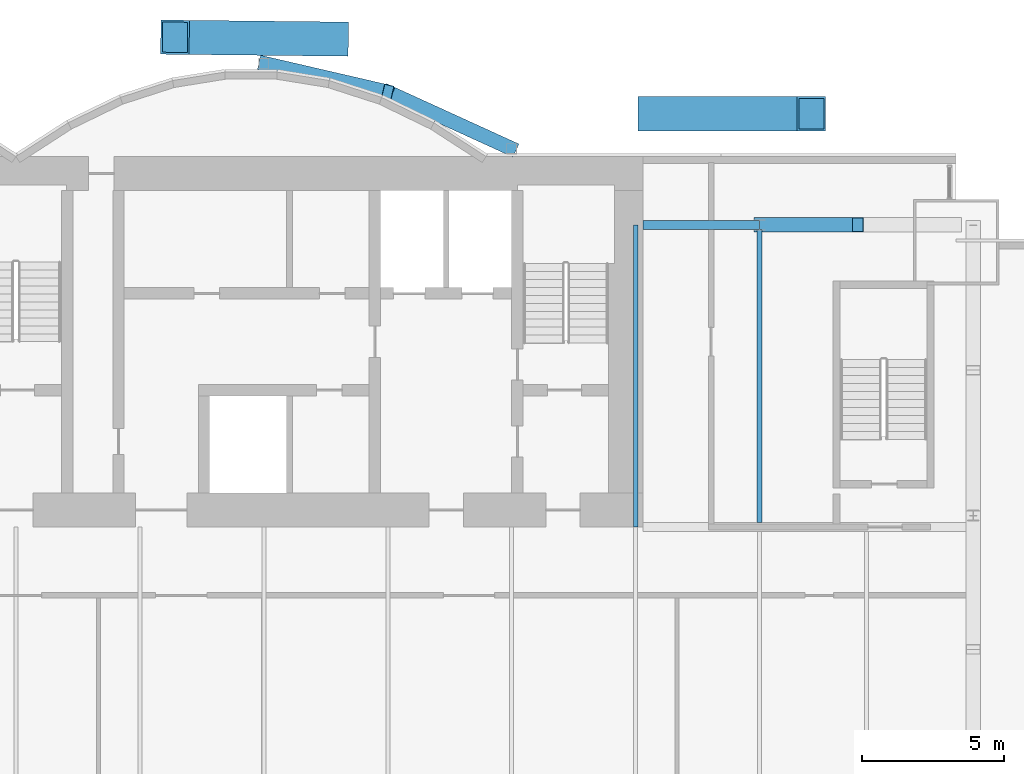
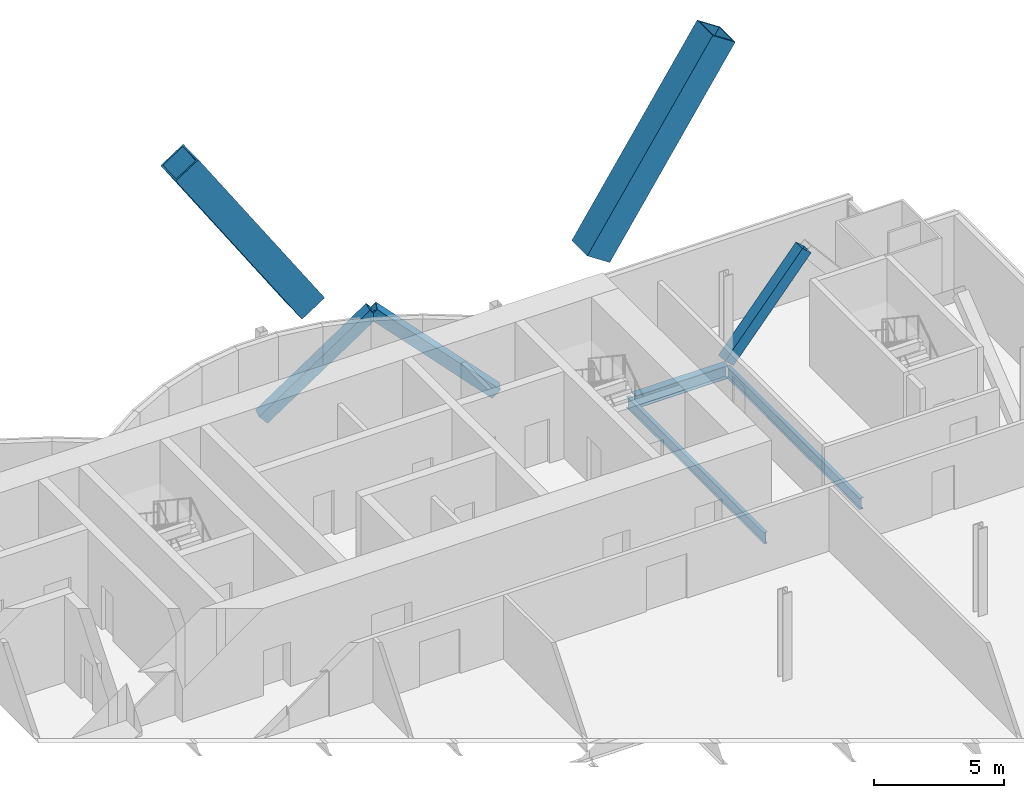
# One storey, part 11 of 21: 5 members, 3 beams.
"""IFC4 building model written with IfcOpenShell, lengths in metres."""

from ifc_helpers import new_model, si_unit, direction, frame, origin, origin_2d, place, context, subcontext, project, spatial, hollow_rectangle, i_section, extrude, material, material_profile, profile_set, type_object, element, save


model = new_model("IFC4")

# Units and contexts
model_context = context("Model", 3, precision=1e-05, world=origin(), true_north=direction((0.0, 1.0)))
body_context = subcontext(model_context, "Body", "Model", "MODEL_VIEW")
ifc_project = project(units=[si_unit("LENGTHUNIT", "METRE"), si_unit("AREAUNIT", "SQUARE_METRE"), si_unit("VOLUMEUNIT", "CUBIC_METRE"), si_unit("PLANEANGLEUNIT", "RADIAN"), si_unit("MASSUNIT", "GRAM", prefix="KILO")], contexts=[model_context])

# Site, building, storey
site_placement = place(None, origin())
site = spatial("IfcSite", under=ifc_project, at=site_placement, CompositionType="ELEMENT")
building_placement = place(site_placement, origin())
building = spatial("IfcBuilding", under=site, at=building_placement, Name="Bicima Exchange Tower", CompositionType="ELEMENT")
storey_placement = place(building_placement, frame((0.0, 0.0, 118.60009765625)))
storey = spatial("IfcBuildingStorey", under=building, at=storey_placement, Name="L25", CompositionType="ELEMENT", Elevation=118.60009765625)

# Members
ifc_material_1 = material(Name="Steel ASTM A572 Gr 50", Category="steel")
ifc_material_profile_1 = material_profile(ifc_material_1, hollow_rectangle(XDim=1.199951171875, YDim=1.199951171875, WallThickness=0.070068359375, at=origin_2d()))
ifc_profile_set_1 = profile_set([ifc_material_profile_1], Name="Steel ASTM A572 Gr 50")
member_type_1 = type_object("IfcMemberType", Name="Exo mega brace BOX 1200x1200x70", PredefinedType="BRACE", material=ifc_profile_set_1)
member_1_placement = place(storey_placement, frame((22.333251953125, 1.5, 4.066650390625), z_axis=(0.55281335708, 0.0, 0.833305101529), x_axis=(0.0, 1.0, 0.0)))
element("IfcMember", 1, at=member_1_placement, inside=storey, type_object=member_type_1, Name="Exo mega brace rear", PredefinedType="BRACE", context=body_context, shape_type="SweptSolid", body=[
    extrude(hollow_rectangle(XDim=1.199951171875, YDim=1.199951171875, WallThickness=0.070068359375, at=origin_2d()), origin(), (0.0, 0.0, 1.0), 10.10009765625),
])
member_2_placement = place(storey_placement, frame((11.166748046875, 4.125, 4.066650390625), z_axis=(-0.552803101452, 0.006091227878, 0.833289642302), x_axis=(-0.011018133066, -0.99993929853, 0.0)))
element("IfcMember", 2, at=member_2_placement, inside=storey, type_object=member_type_1, Name="Exo mega brace rear", PredefinedType="BRACE", context=body_context, shape_type="SweptSolid", body=[
    extrude(hollow_rectangle(XDim=1.199951171875, YDim=1.199951171875, WallThickness=0.070068359375, at=origin_2d()), origin(), (0.0, 0.0, 1.0), 10.100341796875),
])

# Beams
ifc_material_2 = material(Name="Steel ASTM A992 Gr 50", Category="steel")
ifc_material_profile_2 = material_profile(ifc_material_2, i_section(OverallWidth=0.165771484375, OverallDepth=0.5283203125, WebThickness=0.009765625, FlangeThickness=0.013671875, at=origin_2d()))
ifc_profile_set_2 = profile_set([ifc_material_profile_2], Name="Steel ASTM A992 Gr 50")
beam_type_1 = type_object("IfcBeamType", Name="Floor beam W21x50", PredefinedType="JOIST", material=ifc_profile_set_2)
beam_1_placement = place(storey_placement, frame((21.75, -2.39990234375, -0.414306640625), z_axis=(0.0, -1.0, 0.0), x_axis=(1.0, 0.0, 0.0)))
element("IfcBeam", 3, at=beam_1_placement, inside=storey, type_object=beam_type_1, Name="Floor beam", PredefinedType="JOIST", context=body_context, shape_type="SweptSolid", body=[
    extrude(i_section(OverallWidth=0.165771484375, OverallDepth=0.5283203125, WebThickness=0.009765625, FlangeThickness=0.013671875, at=origin_2d()), origin(), (0.0, 0.0, 1.0), 10.60009765625),
])
beam_2_placement = place(storey_placement, frame((26.10009765625, -2.5625, -0.414306640625), z_axis=(0.0, -1.0, 0.0), x_axis=(1.0, 0.0, 0.0)))
element("IfcBeam", 4, at=beam_2_placement, inside=storey, type_object=beam_type_1, Name="Floor beam", PredefinedType="JOIST", context=body_context, shape_type="SweptSolid", body=[
    extrude(i_section(OverallWidth=0.165771484375, OverallDepth=0.5283203125, WebThickness=0.009765625, FlangeThickness=0.013671875, at=origin_2d()), origin(), (0.0, 0.0, 1.0), 10.28515625),
])

# Members
ifc_material_profile_3 = material_profile(ifc_material_1, hollow_rectangle(XDim=0.508056640625, YDim=0.508056640625, WallThickness=0.0146484375, at=origin_2d()))
ifc_profile_set_3 = profile_set([ifc_material_profile_3], Name="Steel ASTM A572 Gr 50")
member_type_2 = type_object("IfcMemberType", Name="Mega brace HSS20x20x5/8", PredefinedType="BRACE", material=ifc_profile_set_3)
member_3_placement = place(storey_placement, frame((8.699951171875, 3.26904296875, 0.0), z_axis=(0.717625168184, -0.166055032463, 0.676342993002), x_axis=(0.225438503722, 0.974257399787, 0.0)))
element("IfcMember", 5, at=member_3_placement, inside=storey, type_object=member_type_2, Name="Mega brace rexo", PredefinedType="BRACE", context=body_context, shape_type="SweptSolid", body=[
    extrude(hollow_rectangle(XDim=0.508056640625, YDim=0.508056640625, WallThickness=0.0146484375, at=origin_2d()), origin(), (0.0, 0.0, 1.0), 6.061767578125),
])
member_4_placement = place(storey_placement, frame((17.39990234375, 0.278076171875, 0.0), z_axis=(-0.690646390594, 0.3150684101, 0.650952732629), x_axis=(-0.415045223819, -0.909800781592, 0.0)))
element("IfcMember", 6, at=member_4_placement, inside=storey, type_object=member_type_2, Name="Mega brace rexo", PredefinedType="BRACE", context=body_context, shape_type="SweptSolid", body=[
    extrude(hollow_rectangle(XDim=0.508056640625, YDim=0.508056640625, WallThickness=0.0146484375, at=origin_2d()), origin(), (0.0, 0.0, 1.0), 6.29833984375),
])
member_5_placement = place(storey_placement, frame((26.10009765625, -2.39990234375, 0.0), z_axis=(0.643856488545, 0.0, 0.765146275008), x_axis=(0.0, 1.0, 0.0)))
element("IfcMember", 7, at=member_5_placement, inside=storey, type_object=member_type_2, Name="Mega brace rear", PredefinedType="BRACE", context=body_context, shape_type="SweptSolid", body=[
    extrude(hollow_rectangle(XDim=0.508056640625, YDim=0.508056640625, WallThickness=0.0146484375, at=origin_2d()), origin(), (0.0, 0.0, 1.0), 5.358154296875),
])

# Beam
ifc_material_profile_4 = material_profile(ifc_material_2, i_section(OverallWidth=0.3251953125, OverallDepth=0.612060546875, WebThickness=0.0126953125, FlangeThickness=0.01904296875, at=origin_2d()))
ifc_profile_set_4 = profile_set([ifc_material_profile_4], Name="Steel ASTM A992 Gr 50")
beam_type_2 = type_object("IfcBeamType", Name="Rear girder W24x104", PredefinedType="BEAM", material=ifc_profile_set_4)
beam_3_placement = place(storey_placement, frame((22.0, -2.39990234375, -0.456298828125), z_axis=(1.0, 0.0, 0.0), x_axis=(0.0, 1.0, 0.0)))
element("IfcBeam", 8, at=beam_3_placement, inside=storey, type_object=beam_type_2, Name="Rear girder", PredefinedType="BEAM", context=body_context, shape_type="SweptSolid", body=[
    extrude(i_section(OverallWidth=0.3251953125, OverallDepth=0.612060546875, WebThickness=0.0126953125, FlangeThickness=0.01904296875, at=origin_2d()), origin(), (0.0, 0.0, 1.0), 4.10009765625),
])

save(model, "model.ifc")
